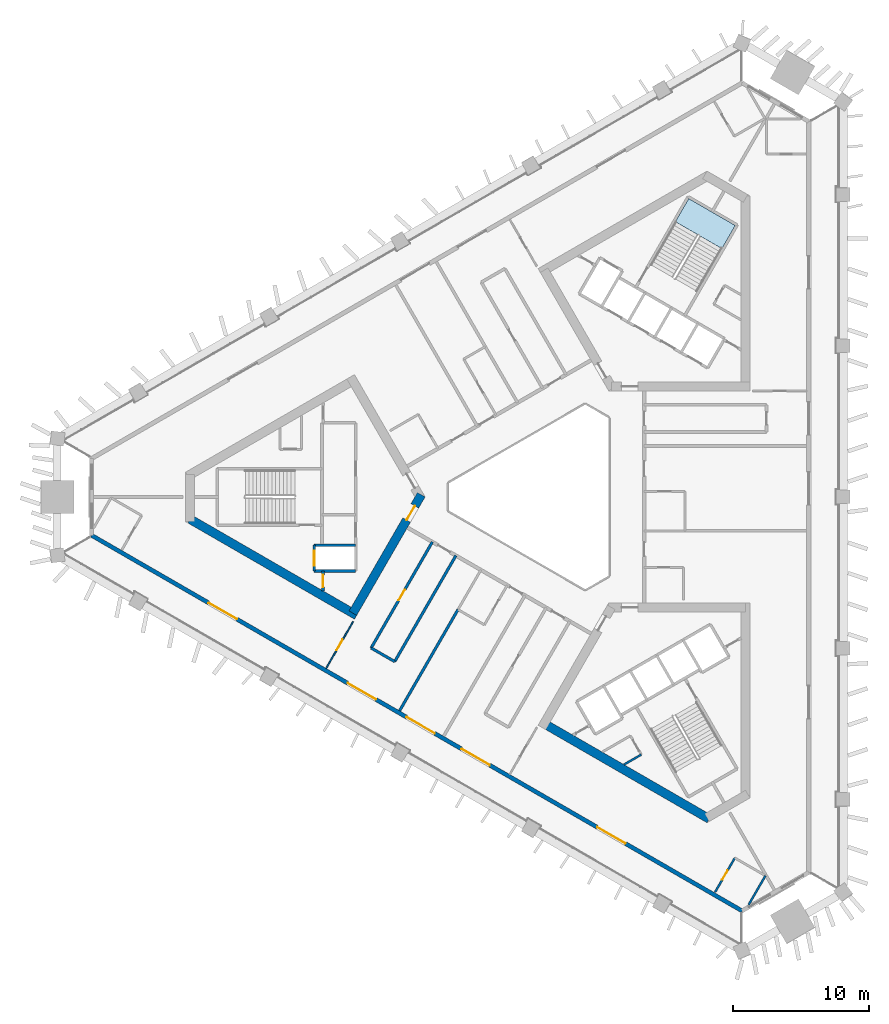
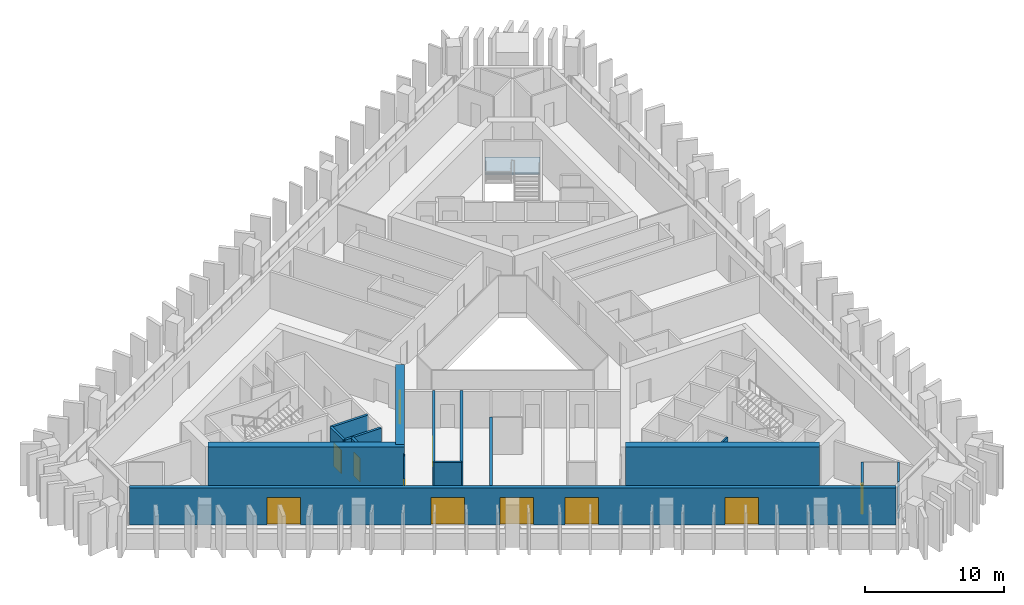
# One storey, part 2 of 11: 16 walls, 11 doors, 1 slab, 11 openings, 1 element without a shape of its own.
"""IFC4 building model written with IfcOpenShell, lengths in metres."""

import ifcopenshell
import ifcopenshell.guid

model = None  # the IFC model being written
_history = None  # IfcOwnerHistory: only IFC2X3 demands one
_inside = {}  # id of a spatial element -> (the spatial element, [elements in it])
_under = {}  # id of a project, library or spatial element -> (it, [spatial elements below it])
_declared = {}  # id of a project -> (the project, [libraries it declares])
_typed = {}  # id of a type object -> (the type object, [elements of that type])
_made_of = {}  # id of a material, layer set ... -> (it, [elements and type objects made of it])


def new_model(schema):
    """Start an empty IFC model of exactly this schema.

    Asked for "IFC4X3", IfcOpenShell would pick the latest addendum, in which some entities
    have other attributes; the version numbers below select the first issue.
    IFC2X3 requires an IfcOwnerHistory on every rooted entity: one is made here for all.
    """
    global model, _history
    if schema == "IFC4X3":
        model = ifcopenshell.file(schema_version=(4, 3, 0, 0))
    else:
        model = ifcopenshell.file(schema=schema)
    _inside.clear()
    _under.clear()
    _declared.clear()
    _typed.clear()
    _made_of.clear()
    _history = None
    if model.schema == "IFC2X3":
        org = make("IfcOrganization", Name="unknown")
        user = make(
            "IfcPersonAndOrganization",
            ThePerson=make("IfcPerson", FamilyName="unknown"),
            TheOrganization=org,
        )
        app = make(
            "IfcApplication",
            ApplicationDeveloper=org,
            Version="unknown",
            ApplicationFullName="unknown",
            ApplicationIdentifier="unknown",
        )
        _history = make(
            "IfcOwnerHistory",
            OwningUser=user,
            OwningApplication=app,
            ChangeAction="ADDED",
            CreationDate=0,
        )
    return model


def make(cls, **values):
    """One entity of the class cls with the attributes given. An attribute that is None is left unset."""
    return model.create_entity(
        cls, **{name: value for name, value in values.items() if value is not None}
    )


def rooted(cls, **values):
    """An entity with a GlobalId (a new one), such as an element, a storey or a relation."""
    return make(cls, GlobalId=ifcopenshell.guid.new(), OwnerHistory=_history, **values)


def si_unit(unit_type, name, prefix=None):
    """IfcSIUnit, for example si_unit("LENGTHUNIT", "METRE", prefix="MILLI")."""
    return make("IfcSIUnit", UnitType=unit_type, Prefix=prefix, Name=name)


def assignment(units):
    """IfcUnitAssignment: the units of a project."""
    return None if units is None else make("IfcUnitAssignment", Units=units)


def point(xyz):
    """IfcCartesianPoint."""
    return None if xyz is None else make("IfcCartesianPoint", Coordinates=xyz)


def direction(xyz):
    """IfcDirection."""
    return None if xyz is None else make("IfcDirection", DirectionRatios=xyz)


def frame(location, z_axis=None, x_axis=None):
    """IfcAxis2Placement3D, a coordinate frame: its origin and axes. An axis left out is left unset."""
    return make(
        "IfcAxis2Placement3D",
        Location=point(location),
        Axis=direction(z_axis),
        RefDirection=direction(x_axis),
    )


def frame_2d(location, x_axis=None):
    """IfcAxis2Placement2D, a coordinate frame in the plane: its origin and x axis."""
    return make(
        "IfcAxis2Placement2D", Location=point(location), RefDirection=direction(x_axis)
    )


def origin():
    """The frame at (0, 0, 0) with its axes left unset."""
    return frame((0.0, 0.0, 0.0))


def place(relative_to, where):
    """IfcLocalPlacement: puts the frame where relative to a parent placement (None: the world)."""
    return make(
        "IfcLocalPlacement", PlacementRelTo=relative_to, RelativePlacement=where
    )


def context(
    kind, dimensions, precision=None, world=None, true_north=None, identifier=None
):
    """IfcGeometricRepresentationContext, for example the 3D "Model" context."""
    return make(
        "IfcGeometricRepresentationContext",
        ContextIdentifier=identifier,
        ContextType=kind,
        CoordinateSpaceDimension=dimensions,
        Precision=precision,
        WorldCoordinateSystem=world,
        TrueNorth=true_north,
    )


def subcontext(parent, identifier, kind, view, scale=None):
    """IfcGeometricRepresentationSubContext, for example "Body" below "Model"."""
    return make(
        "IfcGeometricRepresentationSubContext",
        ContextIdentifier=identifier,
        ContextType=kind,
        ParentContext=parent,
        TargetScale=scale,
        TargetView=view,
    )


def project(units=None, contexts=None):
    """IfcProject with its units and contexts."""
    return rooted(
        "IfcProject",
        Name="project",
        RepresentationContexts=contexts,
        UnitsInContext=assignment(units),
    )


def spatial(cls, under=None, at=None, **own):
    """A site, building, storey or space (cls), placed at a placement, below another one or the project."""
    s = rooted(cls, ObjectPlacement=at, **own)
    if under is not None:
        _under.setdefault(under.id(), (under, []))[1].append(s)
    return s


def polyline(points):
    """IfcPolyline through the points."""
    return make("IfcPolyline", Points=[point(p) for p in points])


def profile(cls, at=None, kind="AREA", **sizes):
    """A parametric profile (cls). Its sizes go by their IFC names, for example OverallWidth=200.0."""
    return make(cls, ProfileType=kind, Position=at, **sizes)


def rectangle(**sizes):
    """IfcRectangleProfileDef."""
    return profile("IfcRectangleProfileDef", **sizes)


def outline(outer, holes=None, kind="AREA"):
    """IfcArbitraryClosedProfileDef: a profile drawn as a closed curve; with holes, ...WithVoids."""
    if holes is None:
        return make("IfcArbitraryClosedProfileDef", ProfileType=kind, OuterCurve=outer)
    return make(
        "IfcArbitraryProfileDefWithVoids",
        ProfileType=kind,
        OuterCurve=outer,
        InnerCurves=holes,
    )


def extrude(swept, where, along, depth):
    """IfcExtrudedAreaSolid: the profile swept, set in the frame where, extruded along a direction by depth."""
    return make(
        "IfcExtrudedAreaSolid",
        SweptArea=swept,
        Position=where,
        ExtrudedDirection=direction(along),
        Depth=depth,
    )


def shape(context_of_items, identifier, shape_type, items):
    """IfcShapeRepresentation: the items that make up one representation, for example the "Body"."""
    return make(
        "IfcShapeRepresentation",
        ContextOfItems=context_of_items,
        RepresentationIdentifier=identifier,
        RepresentationType=shape_type,
        Items=items,
    )


def material(Name=None, Category=None):
    """IfcMaterial."""
    return make("IfcMaterial", Name=Name, Category=Category)


def layer(
    of_material, thickness, ventilated=None, Name=None, Category=None, Priority=None
):
    """IfcMaterialLayer: one layer of a wall or slab, of a material (None: an air gap)."""
    return make(
        "IfcMaterialLayer",
        Material=of_material,
        LayerThickness=thickness,
        IsVentilated=ventilated,
        Name=Name,
        Category=Category,
        Priority=Priority,
    )


def layer_set(layers, Name=None):
    """IfcMaterialLayerSet."""
    return make("IfcMaterialLayerSet", MaterialLayers=layers, LayerSetName=Name)


def made_of(thing, what):
    """Note that an element or type object is made of a material, layer set ...; save() writes the relation."""
    if what is not None:
        _made_of.setdefault(what.id(), (what, []))[1].append(thing)
    return thing


def type_object(cls, material=None, **own):
    """A type object (cls), such as IfcWallType, which elements share."""
    return made_of(rooted(cls, **own), material)


def element(
    cls,
    number,
    at=None,
    inside=None,
    cuts=None,
    type_object=None,
    material=None,
    context=None,
    identifier="Body",
    shape_type=None,
    held_by="IfcProductDefinitionShape",
    body=None,
    shapes=None,
    **own,
):
    """One element of the class cls, such as IfcWall. Its Tag is "e" and its number.

    at: its placement. inside: the storey or other place that contains it. cuts: it is an
    opening in that element (IfcRelVoidsElement). A single representation is given by context,
    identifier, shape_type and body (its items); several are given by shapes. held_by: the class
    of the entity that holds the representations. save() writes the other relations.
    """
    e = rooted(cls, Tag="e%d" % number, ObjectPlacement=at, **own)
    if body is not None:
        shapes = [shape(context, identifier, shape_type, body)]
    if shapes is not None:
        e.Representation = make(held_by, Representations=shapes)
    if inside is not None:
        _inside.setdefault(inside.id(), (inside, []))[1].append(e)
    if cuts is not None:
        rooted(
            "IfcRelVoidsElement", RelatingBuildingElement=cuts, RelatedOpeningElement=e
        )
    if type_object is not None:
        _typed.setdefault(type_object.id(), (type_object, []))[1].append(e)
    return made_of(e, material)


def fill(opening, filler):
    """IfcRelFillsElement: the door or window that sits in an opening."""
    return rooted(
        "IfcRelFillsElement",
        RelatingOpeningElement=opening,
        RelatedBuildingElement=filler,
    )


def aggregate(whole, parts):
    """IfcRelAggregates: a whole, such as a stair, and the parts it consists of."""
    return rooted("IfcRelAggregates", RelatingObject=whole, RelatedObjects=parts)


def save(model, path):
    """Write the relations noted so far, then the file.

    IfcRelAggregates (storeys below a building ...), IfcRelContainedInSpatialStructure (elements
    in a storey), IfcRelDefinesByType, IfcRelAssociatesMaterial and IfcRelDeclares: one each for
    every whole, place, type object, material and project.
    """
    for whole, parts in _under.values():
        aggregate(whole, parts)
    for where, things in _inside.values():
        rooted(
            "IfcRelContainedInSpatialStructure",
            RelatedElements=things,
            RelatingStructure=where,
        )
    for kind, things in _typed.values():
        rooted("IfcRelDefinesByType", RelatedObjects=things, RelatingType=kind)
    for what, things in _made_of.values():
        rooted("IfcRelAssociatesMaterial", RelatedObjects=things, RelatingMaterial=what)
    for by, libraries in _declared.values():
        rooted("IfcRelDeclares", RelatingContext=by, RelatedDefinitions=libraries)
    model.write(path)


model = new_model("IFC4")

# Units and contexts
model_context = context("Model", 3, precision=1e-05, world=origin(), true_north=direction((0.0, 1.0)))
body_context = subcontext(model_context, "Body", "Model", "MODEL_VIEW")
ifc_project = project(units=[si_unit("LENGTHUNIT", "METRE"), si_unit("AREAUNIT", "SQUARE_METRE"), si_unit("VOLUMEUNIT", "CUBIC_METRE"), si_unit("PLANEANGLEUNIT", "RADIAN"), si_unit("MASSUNIT", "GRAM", prefix="KILO")], contexts=[model_context])

# Site, building, storey
site_placement = place(None, origin())
site = spatial("IfcSite", under=ifc_project, at=site_placement, CompositionType="ELEMENT")
building_placement = place(site_placement, origin())
building = spatial("IfcBuilding", under=site, at=building_placement, Name="Jabali Bay Hotel Tower and Convention Centre", CompositionType="ELEMENT")
storey_placement = place(building_placement, frame((0.0, 0.0, 143.800048828125)))
storey = spatial("IfcBuildingStorey", under=building, at=storey_placement, Name="L35", CompositionType="ELEMENT", Elevation=143.800048828125)

# Stair, slab
ifc_material_1 = material(Name="Concrete C40", Category="concrete")
stair_type = type_object("IfcStairType", Name="Exit stair 1900", PredefinedType="HALF_TURN_STAIR", material=ifc_material_1)
stair_placement = place(storey_placement, origin())
stair = element("IfcStair", 1, at=stair_placement, inside=storey, type_object=stair_type, Name="L35 Exit Stair 2", PredefinedType="HALF_TURN_STAIR")
ifc_layer_1 = layer(ifc_material_1, 0.199951171875)
ifc_layer_set_1 = layer_set([ifc_layer_1], Name="Concrete C40")
slab_type = type_object("IfcSlabType", Name="Stair landing 200", PredefinedType="LANDING", material=ifc_layer_set_1)
slab_placement = place(storey_placement, frame((0.0, 0.0, 1.64990234375)))
slab = element("IfcSlab", 2, at=slab_placement, type_object=slab_type, Name="ST2 landing 1", PredefinedType="LANDING", context=body_context, shape_type="SweptSolid", body=[
    extrude(outline(polyline([(87.81884765625, 98.2529296875), (88.80029296875, 99.952880859375), (85.379638671875, 101.927978515625), (84.398193359375, 100.22802734375), (87.81884765625, 98.2529296875)])), origin(), (0.0, 0.0, 1.0), 0.199951171875),
])
aggregate(stair, [slab])

# Wall, opening, door
ifc_layer_2 = layer(ifc_material_1, 0.199951171875)
ifc_layer_set_2 = layer_set([ifc_layer_2], Name="Concrete C40")
wall_type_1 = type_object("IfcWallType", Name="Core partition wall 200", PredefinedType="PARTITIONING", material=ifc_layer_set_2)
wall_1_placement = place(storey_placement, frame((58.5, 74.550048828125, 0.0), z_axis=(0.0, 0.0, 1.0), x_axis=(0.0, -1.0, 0.0)))
wall_1 = element("IfcWall", 3, at=wall_1_placement, inside=storey, type_object=wall_type_1, Name="Core wall 0.10 L35", PredefinedType="PARTITIONING", context=body_context, shape_type="SweptSolid", body=[
    extrude(rectangle(XDim=1.455078125, YDim=0.199951171875, at=frame_2d((0.7275390625, 0.0))), origin(), (0.0, 0.0, 1.0), 3.25),
])
opening_1_placement = place(wall_1_placement, frame((0.277587890625, 0.0, 0.0)))
opening_1 = element("IfcOpeningElement", 4, at=opening_1_placement, cuts=wall_1, Name="Opening D766", PredefinedType="OPENING", context=body_context, shape_type="SweptSolid", body=[
    extrude(rectangle(XDim=0.89990234375, YDim=2.10009765625, at=frame_2d((0.449951171875, 1.050048828125))), frame((0.0, 0.1103515625, 0.0), z_axis=(0.0, -1.0, 0.0), x_axis=(1.0, 0.0, 0.0)), (0.0, 0.0, 1.0), 0.220947265625),
])
ifc_material_2 = material(Name="Fire-rated steel door", Category="steel")
door_type_1 = type_object("IfcDoorType", Name="Vestibule fire door 900 x 2100", OperationType="NOTDEFINED", PredefinedType="NOTDEFINED", material=ifc_material_2)
door_1_placement = place(opening_1_placement, origin())
door_1 = element("IfcDoor", 5, at=door_1_placement, inside=storey, type_object=door_type_1, Name="Vestibule fire door D766", OperationType="SINGLE_SWING_LEFT", OverallHeight=2.10009765625, OverallWidth=0.89990234375, PredefinedType="NOTDEFINED", context=body_context, shape_type="SweptSolid", body=[
    extrude(rectangle(XDim=0.89990234375, YDim=2.10009765625, at=frame_2d((0.449951171875, 1.050048828125))), frame((0.0, 0.02490234375, 0.0), z_axis=(0.0, -1.0, 0.0), x_axis=(1.0, 0.0, 0.0)), (0.0, 0.0, 1.0), 0.050048828125),
])
fill(opening_1, door_1)

# Walls
ifc_material_3 = material(Name="Fire-rated board partition")
ifc_layer_3 = layer(ifc_material_3, 0.14990234375)
ifc_layer_set_3 = layer_set([ifc_layer_3], Name="Fire-rated board partition")
wall_type_2 = type_object("IfcWallType", Name="Core room partition 150", PredefinedType="PARTITIONING", material=ifc_layer_set_3)
wall_2_placement = place(storey_placement, frame((80.619873046875, 60.323974609375, 0.0), z_axis=(0.0, 0.0, 1.0), x_axis=(0.866069507536, 0.49992360228, 0.0)))
element("IfcWall", 6, at=wall_2_placement, inside=storey, type_object=wall_type_2, Name="Core wall 2.17 L35", PredefinedType="PARTITIONING", context=body_context, shape_type="SweptSolid", body=[
    extrude(rectangle(XDim=1.470947265625, YDim=0.14990234375, at=frame_2d((0.7353515625, 0.0))), origin(), (0.0, 0.0, 1.0), 3.25),
])
ifc_layer_4 = layer(ifc_material_1, 0.199951171875)
ifc_layer_set_4 = layer_set([ifc_layer_4], Name="Concrete C40")
wall_type_3 = type_object("IfcWallType", Name="Core stair wall 200", PredefinedType="SOLIDWALL", material=ifc_layer_set_4)
for number, where, z_axis, x_axis, name in (
    (7, (60.89990234375, 76.449951171875, 0.0), (0.0, 0.0, 1.0), (-1.0, 0.0, 0.0), "Core wall 0.6 L35"),
    (8, (60.89990234375, 74.550048828125, 0.0), (0.0, 0.0, 1.0), (-1.0, 0.0, 0.0), "Core wall 0.7 L35"),
):
    element("IfcWall", number, at=place(storey_placement, frame(where, z_axis=z_axis, x_axis=x_axis)), inside=storey, type_object=wall_type_3, Name=name, PredefinedType="SOLIDWALL", context=body_context, shape_type="SweptSolid", body=[
        extrude(rectangle(XDim=3.0498046875, YDim=0.199951171875, at=frame_2d((1.52490234375, 0.0))), origin(), (0.0, 0.0, 1.0), 3.25),
    ])

# Wall, opening, door
wall_3_placement = place(storey_placement, frame((57.85009765625, 76.449951171875, 0.0), z_axis=(0.0, 0.0, 1.0), x_axis=(0.0, -1.0, 0.0)))
wall_3 = element("IfcWall", 9, at=wall_3_placement, inside=storey, type_object=wall_type_3, Name="Core wall 0.12 L35", PredefinedType="SOLIDWALL", context=body_context, shape_type="SweptSolid", body=[
    extrude(rectangle(XDim=1.89990234375, YDim=0.199951171875, at=frame_2d((0.949951171875, 0.0))), origin(), (0.0, 0.0, 1.0), 3.25),
])
opening_2_placement = place(wall_3_placement, frame((0.39990234375, 0.0, 0.0)))
opening_2 = element("IfcOpeningElement", 10, at=opening_2_placement, cuts=wall_3, Name="Opening LD5-L35", PredefinedType="OPENING", context=body_context, shape_type="SweptSolid", body=[
    extrude(rectangle(XDim=1.10009765625, YDim=2.10009765625, at=frame_2d((0.550048828125, 1.050048828125))), frame((0.0, 0.1103515625, 0.0), z_axis=(0.0, -1.0, 0.0), x_axis=(1.0, 0.0, 0.0)), (0.0, 0.0, 1.0), 0.220947265625),
])
ifc_material_4 = material(Name="Stainless steel landing door", Category="steel")
door_type_2 = type_object("IfcDoorType", Name="Landing door 1100 x 2100", OperationType="NOTDEFINED", PredefinedType="NOTDEFINED", material=ifc_material_4)
door_2_placement = place(opening_2_placement, origin())
door_2 = element("IfcDoor", 11, at=door_2_placement, inside=storey, type_object=door_type_2, Name="Landing doors LD5-L35", OperationType="SLIDING_TO_RIGHT", OverallHeight=2.10009765625, OverallWidth=1.10009765625, PredefinedType="NOTDEFINED", context=body_context, shape_type="SweptSolid", body=[
    extrude(rectangle(XDim=1.10009765625, YDim=2.10009765625, at=frame_2d((0.550048828125, 1.050048828125))), frame((0.0, 0.02490234375, 0.0), z_axis=(0.0, -1.0, 0.0), x_axis=(1.0, 0.0, 0.0)), (0.0, 0.0, 1.0), 0.050048828125),
])
fill(opening_2, door_2)

# Wall
ifc_material_5 = material(Name="Concrete C60", Category="concrete")
ifc_layer_5 = layer(ifc_material_5, 0.64990234375)
ifc_layer_set_5 = layer_set([ifc_layer_5], Name="Concrete C60")
wall_type_4 = type_object("IfcWallType", Name="Core wall 650", PredefinedType="SHEAR", material=ifc_layer_set_5)
wall_4_placement = place(storey_placement, frame((48.721923828125, 78.364990234375, 0.0), z_axis=(0.0, 0.0, 1.0), x_axis=(0.866020036431, -0.500009296414, 0.0)))
element("IfcWall", 12, at=wall_4_placement, inside=storey, type_object=wall_type_4, Name="Core wall 1.4 L35", PredefinedType="SHEAR", context=body_context, shape_type="SweptSolid", body=[
    extrude(rectangle(XDim=14.145751953125, YDim=0.64990234375, at=frame_2d((7.07275390625, 0.0))), origin(), (0.0, 0.0, 1.0), 3.699951171875),
])

# Wall, opening, door
wall_5_placement = place(storey_placement, frame((60.691162109375, 71.45458984375, 0.0), z_axis=(0.0, 0.0, 1.0), x_axis=(0.499983075189, 0.866035175108, 0.0)))
wall_5 = element("IfcWall", 13, at=wall_5_placement, inside=storey, type_object=wall_type_4, Name="Core wall 1.5 L35", PredefinedType="SHEAR", context=body_context, shape_type="SweptSolid", body=[
    extrude(rectangle(XDim=10.054931640625, YDim=0.64990234375, at=frame_2d((5.02734375, 0.0))), origin(), (0.0, 0.0, 1.0), 3.699951171875),
])
opening_3_placement = place(wall_5_placement, frame((7.905029296875, 0.0, 0.0)))
opening_3 = element("IfcOpeningElement", 14, at=opening_3_placement, cuts=wall_5, Name="Opening D763", PredefinedType="OPENING", context=body_context, shape_type="SweptSolid", body=[
    extrude(rectangle(XDim=1.199951171875, YDim=2.10009765625, at=frame_2d((0.60009765625, 1.050048828125))), frame((0.0, 0.33544921875, 0.0), z_axis=(0.0, -1.0, 0.0), x_axis=(1.0, 0.0, 0.0)), (0.0, 0.0, 1.0), 0.6708984375),
])
door_type_3 = type_object("IfcDoorType", Name="Corridor end fire door 1200 x 2100", OperationType="NOTDEFINED", PredefinedType="NOTDEFINED", material=ifc_material_2)
door_3_placement = place(opening_3_placement, origin())
door_3 = element("IfcDoor", 15, at=door_3_placement, inside=storey, type_object=door_type_3, Name="Corridor end fire door D763", OperationType="SINGLE_SWING_LEFT", OverallHeight=2.10009765625, OverallWidth=1.199951171875, PredefinedType="NOTDEFINED", context=body_context, shape_type="SweptSolid", body=[
    extrude(rectangle(XDim=1.199951171875, YDim=2.10009765625, at=frame_2d((0.60009765625, 1.050048828125))), frame((0.0, 0.02490234375, 0.0), z_axis=(0.0, -1.0, 0.0), x_axis=(1.0, 0.0, 0.0)), (0.0, 0.0, 1.0), 0.050048828125),
])
fill(opening_3, door_3)

# Wall
wall_6_placement = place(storey_placement, frame((74.75390625, 63.33544921875, 0.0), z_axis=(0.0, 0.0, 1.0), x_axis=(0.866026250715, -0.49999853307, 0.0)))
element("IfcWall", 16, at=wall_6_placement, inside=storey, type_object=wall_type_4, Name="Core wall 3.2 L35", PredefinedType="SHEAR", context=body_context, shape_type="SweptSolid", body=[
    extrude(rectangle(XDim=14.00830078125, YDim=0.64990234375, at=frame_2d((7.004150390625, 0.0))), origin(), (0.0, 0.0, 1.0), 3.699951171875),
])

# Wall, openings, doors
ifc_layer_6 = layer(ifc_material_1, 0.300048828125)
ifc_layer_set_6 = layer_set([ifc_layer_6], Name="Concrete C40")
wall_type_5 = type_object("IfcWallType", Name="External wall 300", PredefinedType="SOLIDWALL", material=ifc_layer_set_6)
wall_7_placement = place(storey_placement, frame((89.3095703125, 49.565185546875, 0.0), z_axis=(0.0, 0.0, 1.0), x_axis=(-0.866024712045, 0.500001198125, 0.0)))
wall_7 = element("IfcWall", 17, at=wall_7_placement, inside=storey, type_object=wall_type_5, Name="External wall south-west face L35", PredefinedType="SOLIDWALL", context=body_context, shape_type="SweptSolid", body=[
    extrude(rectangle(XDim=55.219482421875, YDim=0.300048828125, at=frame_2d((27.60986328125, 0.0))), origin(), (0.0, 0.0, 1.0), 3.25),
])
opening_4_placement = place(wall_7_placement, frame((31.08642578125, 0.0, 0.0)))
opening_4 = element("IfcOpeningElement", 18, at=opening_4_placement, cuts=wall_7, Name="Opening SD1", PredefinedType="OPENING", context=body_context, shape_type="SweptSolid", body=[
    extrude(rectangle(XDim=2.39990234375, YDim=2.39990234375, at=frame_2d((1.199951171875, 1.199951171875))), frame((0.0, 0.16064453125, 0.0), z_axis=(0.0, -1.0, 0.0), x_axis=(1.0, 0.0, 0.0)), (0.0, 0.0, 1.0), 0.321044921875),
])
opening_5_placement = place(wall_7_placement, frame((42.89208984375, 0.0, 0.0)))
opening_5 = element("IfcOpeningElement", 19, at=opening_5_placement, cuts=wall_7, Name="Opening SD1", PredefinedType="OPENING", context=body_context, shape_type="SweptSolid", body=[
    extrude(rectangle(XDim=2.39990234375, YDim=2.39990234375, at=frame_2d((1.199951171875, 1.199951171875))), frame((0.0, 0.16064453125, 0.0), z_axis=(0.0, -1.0, 0.0), x_axis=(1.0, 0.0, 0.0)), (0.0, 0.0, 1.0), 0.321044921875),
])
opening_6_placement = place(wall_7_placement, frame((21.42138671875, 0.0, 0.0)))
opening_6 = element("IfcOpeningElement", 20, at=opening_6_placement, cuts=wall_7, Name="Opening SD1", PredefinedType="OPENING", context=body_context, shape_type="SweptSolid", body=[
    extrude(rectangle(XDim=2.39990234375, YDim=2.39990234375, at=frame_2d((1.199951171875, 1.199951171875))), frame((0.0, 0.16064453125, 0.0), z_axis=(0.0, -1.0, 0.0), x_axis=(1.0, 0.0, 0.0)), (0.0, 0.0, 1.0), 0.321044921875),
])
opening_7_placement = place(wall_7_placement, frame((9.906494140625, 0.0, 0.0)))
opening_7 = element("IfcOpeningElement", 21, at=opening_7_placement, cuts=wall_7, Name="Opening SD1", PredefinedType="OPENING", context=body_context, shape_type="SweptSolid", body=[
    extrude(rectangle(XDim=2.39990234375, YDim=2.39990234375, at=frame_2d((1.199951171875, 1.199951171875))), frame((0.0, 0.16064453125, 0.0), z_axis=(0.0, -1.0, 0.0), x_axis=(1.0, 0.0, 0.0)), (0.0, 0.0, 1.0), 0.321044921875),
])
opening_8_placement = place(wall_7_placement, frame((26.097900390625, 0.0, 0.0)))
opening_8 = element("IfcOpeningElement", 22, at=opening_8_placement, cuts=wall_7, Name="Opening SD1", PredefinedType="OPENING", context=body_context, shape_type="SweptSolid", body=[
    extrude(rectangle(XDim=2.39990234375, YDim=2.39990234375, at=frame_2d((1.199951171875, 1.199951171875))), frame((0.0, 0.16064453125, 0.0), z_axis=(0.0, -1.0, 0.0), x_axis=(1.0, 0.0, 0.0)), (0.0, 0.0, 1.0), 0.321044921875),
])
ifc_material_6 = material(Name="Glass", Category="glass")
door_type_4 = type_object("IfcDoorType", Name="Loggia sliding door 2400 x 2400", OperationType="NOTDEFINED", PredefinedType="NOTDEFINED", material=ifc_material_6)
door_4_placement = place(opening_4_placement, origin())
door_4 = element("IfcDoor", 23, at=door_4_placement, inside=storey, type_object=door_type_4, Name="Loggia sliding door 3509", OperationType="SLIDING_TO_LEFT", OverallHeight=2.39990234375, OverallWidth=2.39990234375, PredefinedType="NOTDEFINED", context=body_context, shape_type="SweptSolid", body=[
    extrude(rectangle(XDim=2.39990234375, YDim=2.39990234375, at=frame_2d((1.199951171875, 1.199951171875))), frame((0.0, 0.02490234375, 0.0), z_axis=(0.0, -1.0, 0.0), x_axis=(1.0, 0.0, 0.0)), (0.0, 0.0, 1.0), 0.050048828125),
])
fill(opening_4, door_4)
door_5_placement = place(opening_5_placement, origin())
door_5 = element("IfcDoor", 24, at=door_5_placement, inside=storey, type_object=door_type_4, Name="Loggia sliding door 3509", OperationType="SLIDING_TO_RIGHT", OverallHeight=2.39990234375, OverallWidth=2.39990234375, PredefinedType="NOTDEFINED", context=body_context, shape_type="SweptSolid", body=[
    extrude(rectangle(XDim=2.39990234375, YDim=2.39990234375, at=frame_2d((1.199951171875, 1.199951171875))), frame((0.0, 0.02490234375, 0.0), z_axis=(0.0, -1.0, 0.0), x_axis=(1.0, 0.0, 0.0)), (0.0, 0.0, 1.0), 0.050048828125),
])
fill(opening_5, door_5)
door_6_placement = place(opening_6_placement, origin())
door_6 = element("IfcDoor", 25, at=door_6_placement, inside=storey, type_object=door_type_4, Name="Loggia sliding door 3512", OperationType="SLIDING_TO_LEFT", OverallHeight=2.39990234375, OverallWidth=2.39990234375, PredefinedType="NOTDEFINED", context=body_context, shape_type="SweptSolid", body=[
    extrude(rectangle(XDim=2.39990234375, YDim=2.39990234375, at=frame_2d((1.199951171875, 1.199951171875))), frame((0.0, 0.02490234375, 0.0), z_axis=(0.0, -1.0, 0.0), x_axis=(1.0, 0.0, 0.0)), (0.0, 0.0, 1.0), 0.050048828125),
])
fill(opening_6, door_6)
door_7_placement = place(opening_7_placement, origin())
door_7 = element("IfcDoor", 26, at=door_7_placement, inside=storey, type_object=door_type_4, Name="Loggia sliding door 3512", OperationType="SLIDING_TO_RIGHT", OverallHeight=2.39990234375, OverallWidth=2.39990234375, PredefinedType="NOTDEFINED", context=body_context, shape_type="SweptSolid", body=[
    extrude(rectangle(XDim=2.39990234375, YDim=2.39990234375, at=frame_2d((1.199951171875, 1.199951171875))), frame((0.0, 0.02490234375, 0.0), z_axis=(0.0, -1.0, 0.0), x_axis=(1.0, 0.0, 0.0)), (0.0, 0.0, 1.0), 0.050048828125),
])
fill(opening_7, door_7)
door_8_placement = place(opening_8_placement, origin())
door_8 = element("IfcDoor", 27, at=door_8_placement, inside=storey, type_object=door_type_4, Name="Loggia sliding door 3511", OperationType="SLIDING_TO_LEFT", OverallHeight=2.39990234375, OverallWidth=2.39990234375, PredefinedType="NOTDEFINED", context=body_context, shape_type="SweptSolid", body=[
    extrude(rectangle(XDim=2.39990234375, YDim=2.39990234375, at=frame_2d((1.199951171875, 1.199951171875))), frame((0.0, 0.02490234375, 0.0), z_axis=(0.0, -1.0, 0.0), x_axis=(1.0, 0.0, 0.0)), (0.0, 0.0, 1.0), 0.050048828125),
])
fill(opening_8, door_8)

# Wall, opening, door
ifc_material_7 = material(Name="Plasterboard on steel stud", Category="steel")
ifc_layer_7 = layer(ifc_material_7, 0.10009765625)
ifc_layer_set_7 = layer_set([ifc_layer_7], Name="Plasterboard on steel stud")
wall_type_6 = type_object("IfcWallType", Name="Partition 100 unit", PredefinedType="PARTITIONING", material=ifc_layer_set_7)
wall_8_placement = place(storey_placement, frame((60.71044921875, 70.83837890625, 0.0), z_axis=(0.0, 0.0, 1.0), x_axis=(-0.499997169302, -0.866027038082, 0.0)))
wall_8 = element("IfcWall", 28, at=wall_8_placement, inside=storey, type_object=wall_type_6, Name="Partition P02 L35 031", PredefinedType="PARTITIONING", context=body_context, shape_type="SweptSolid", body=[
    extrude(rectangle(XDim=3.974609375, YDim=0.10009765625, at=frame_2d((1.9873046875, 0.0))), origin(), (0.0, 0.0, 1.0), 3.25),
])
opening_9_placement = place(wall_8_placement, frame((1.537109375, 0.0, 0.0)))
opening_9 = element("IfcOpeningElement", 29, at=opening_9_placement, cuts=wall_8, Name="Opening 3518", PredefinedType="OPENING", context=body_context, shape_type="SweptSolid", body=[
    extrude(rectangle(XDim=0.89990234375, YDim=2.10009765625, at=frame_2d((0.449951171875, 1.050048828125))), frame((0.0, 0.060546875, 0.0), z_axis=(0.0, -1.0, 0.0), x_axis=(1.0, 0.0, 0.0)), (0.0, 0.0, 1.0), 0.12109375),
])
ifc_material_8 = material(Name="Timber", Category="wood")
door_type_5 = type_object("IfcDoorType", Name="Internal door 900 x 2100", OperationType="NOTDEFINED", PredefinedType="NOTDEFINED", material=ifc_material_8)
door_9_placement = place(opening_9_placement, origin())
door_9 = element("IfcDoor", 30, at=door_9_placement, inside=storey, type_object=door_type_5, Name="Door 3518", OperationType="SINGLE_SWING_LEFT", OverallHeight=2.10009765625, OverallWidth=0.89990234375, PredefinedType="NOTDEFINED", context=body_context, shape_type="SweptSolid", body=[
    extrude(rectangle(XDim=0.89990234375, YDim=2.10009765625, at=frame_2d((0.449951171875, 1.050048828125))), frame((0.0, 0.02490234375, 0.0), z_axis=(0.0, -1.0, 0.0), x_axis=(1.0, 0.0, 0.0)), (0.0, 0.0, 1.0), 0.050048828125),
])
fill(opening_9, door_9)

ifc_layer_8 = layer(ifc_material_7, 0.14990234375)
ifc_layer_set_8 = layer_set([ifc_layer_8], Name="Plasterboard on steel stud")
wall_type_7 = type_object("IfcWallType", Name="Partition 150 wet", PredefinedType="PARTITIONING", material=ifc_layer_set_8)
wall_9_placement = place(storey_placement, frame((87.318115234375, 50.947021484375, 0.0), z_axis=(0.0, 0.0, 1.0), x_axis=(0.499987231761, 0.866032775405, 0.0)))
wall_9 = element("IfcWall", 31, at=wall_9_placement, inside=storey, type_object=wall_type_7, Name="Partition P03 L35 047", PredefinedType="PARTITIONING", context=body_context, shape_type="SweptSolid", body=[
    extrude(rectangle(XDim=2.89990234375, YDim=0.14990234375, at=frame_2d((1.449951171875, 0.0))), origin(), (0.0, 0.0, 1.0), 3.25),
])
opening_10_placement = place(wall_9_placement, frame((1.050048828125, 0.0, 0.0)))
opening_10 = element("IfcOpeningElement", 32, at=opening_10_placement, cuts=wall_9, Name="Opening 3525", PredefinedType="OPENING", context=body_context, shape_type="SweptSolid", body=[
    extrude(rectangle(XDim=0.800048828125, YDim=2.10009765625, at=frame_2d((0.39990234375, 1.050048828125))), frame((0.0, 0.08544921875, 0.0), z_axis=(0.0, -1.0, 0.0), x_axis=(1.0, 0.0, 0.0)), (0.0, 0.0, 1.0), 0.1708984375),
])
door_type_6 = type_object("IfcDoorType", Name="En-suite door 800 x 2100", OperationType="NOTDEFINED", PredefinedType="NOTDEFINED", material=ifc_material_8)
door_10_placement = place(opening_10_placement, origin())
door_10 = element("IfcDoor", 33, at=door_10_placement, inside=storey, type_object=door_type_6, Name="Door 3525", OperationType="SINGLE_SWING_LEFT", OverallHeight=2.10009765625, OverallWidth=0.800048828125, PredefinedType="NOTDEFINED", context=body_context, shape_type="SweptSolid", body=[
    extrude(rectangle(XDim=0.800048828125, YDim=2.10009765625, at=frame_2d((0.39990234375, 1.050048828125))), frame((0.0, 0.02490234375, 0.0), z_axis=(0.0, -1.0, 0.0), x_axis=(1.0, 0.0, 0.0)), (0.0, 0.0, 1.0), 0.050048828125),
])
fill(opening_10, door_10)

# Walls
wall_10_placement = place(storey_placement, frame((91.019775390625, 52.158447265625, 0.0), z_axis=(0.0, 0.0, 1.0), x_axis=(-0.500008956979, -0.866020232408, 0.0)))
element("IfcWall", 34, at=wall_10_placement, inside=storey, type_object=wall_type_7, Name="Partition P03 L35 049", PredefinedType="PARTITIONING", context=body_context, shape_type="SweptSolid", body=[
    extrude(rectangle(XDim=2.4833984375, YDim=0.14990234375, at=frame_2d((1.24169921875, 0.0))), origin(), (0.0, 0.0, 1.0), 3.25),
])
ifc_layer_9 = layer(ifc_material_7, 0.199951171875)
ifc_layer_set_9 = layer_set([ifc_layer_9], Name="Plasterboard on steel stud")
wall_type_8 = type_object("IfcWallType", Name="Partition 200 party", PredefinedType="PARTITIONING", material=ifc_layer_set_9)
wall_11_placement = place(storey_placement, frame((68.26611328125, 75.689453125, 0.0), z_axis=(0.0, 0.0, 1.0), x_axis=(-0.5000018851, -0.866024315419, 0.0)))
element("IfcWall", 35, at=wall_11_placement, inside=storey, type_object=wall_type_8, Name="Partition P01 L35 032", PredefinedType="PARTITIONING", context=body_context, shape_type="SweptSolid", body=[
    extrude(rectangle(XDim=9.0, YDim=0.199951171875, at=frame_2d((4.5, 0.0))), origin(), (0.0, 0.0, 1.0), 3.25),
])
wall_12_placement = place(storey_placement, frame((63.76611328125, 67.895263671875, 0.0), z_axis=(0.0, 0.0, 1.0), x_axis=(-0.866041268327, 0.499972520799, 0.0)))
element("IfcWall", 36, at=wall_12_placement, inside=storey, type_object=wall_type_8, Name="Partition P01 L35 033", PredefinedType="PARTITIONING", context=body_context, shape_type="SweptSolid", body=[
    extrude(rectangle(XDim=2.0, YDim=0.199951171875, at=frame_2d((1.0, 0.0))), origin(), (0.0, 0.0, 1.0), 3.25),
])

# Wall, opening, door
wall_13_placement = place(storey_placement, frame((62.033935546875, 68.895263671875, 0.0), z_axis=(0.0, 0.0, 1.0), x_axis=(0.5000018851, 0.866024315419, 0.0)))
wall_13 = element("IfcWall", 37, at=wall_13_placement, inside=storey, type_object=wall_type_8, Name="Partition P01 L35 034", PredefinedType="PARTITIONING", context=body_context, shape_type="SweptSolid", body=[
    extrude(rectangle(XDim=9.0, YDim=0.199951171875, at=frame_2d((4.5, 0.0))), origin(), (0.0, 0.0, 1.0), 3.25),
])
opening_11_placement = place(wall_13_placement, frame((4.050048828125, 0.0, 0.0)))
opening_11 = element("IfcOpeningElement", 38, at=opening_11_placement, cuts=wall_13, Name="Opening 3520", PredefinedType="OPENING", context=body_context, shape_type="SweptSolid", body=[
    extrude(rectangle(XDim=0.89990234375, YDim=2.10009765625, at=frame_2d((0.449951171875, 1.050048828125))), frame((0.0, 0.1103515625, 0.0), z_axis=(0.0, -1.0, 0.0), x_axis=(1.0, 0.0, 0.0)), (0.0, 0.0, 1.0), 0.220947265625),
])
door_11_placement = place(opening_11_placement, origin())
door_11 = element("IfcDoor", 39, at=door_11_placement, inside=storey, type_object=door_type_5, Name="Door 3520", OperationType="SINGLE_SWING_LEFT", OverallHeight=2.10009765625, OverallWidth=0.89990234375, PredefinedType="NOTDEFINED", context=body_context, shape_type="SweptSolid", body=[
    extrude(rectangle(XDim=0.89990234375, YDim=2.10009765625, at=frame_2d((0.449951171875, 1.050048828125))), frame((0.0, 0.02490234375, 0.0), z_axis=(0.0, -1.0, 0.0), x_axis=(1.0, 0.0, 0.0)), (0.0, 0.0, 1.0), 0.050048828125),
])
fill(opening_11, door_11)

# Wall
wall_14_placement = place(storey_placement, frame((64.123291015625, 64.278564453125, 0.0), z_axis=(0.0, 0.0, 1.0), x_axis=(0.500006224803, 0.866021809863, 0.0)))
element("IfcWall", 40, at=wall_14_placement, inside=storey, type_object=wall_type_8, Name="Partition P01 L35 035", PredefinedType="PARTITIONING", context=body_context, shape_type="SweptSolid", body=[
    extrude(rectangle(XDim=8.58935546875, YDim=0.199951171875, at=frame_2d((4.294677734375, 0.0))), origin(), (0.0, 0.0, 1.0), 3.25),
])

save(model, "model.ifc")
